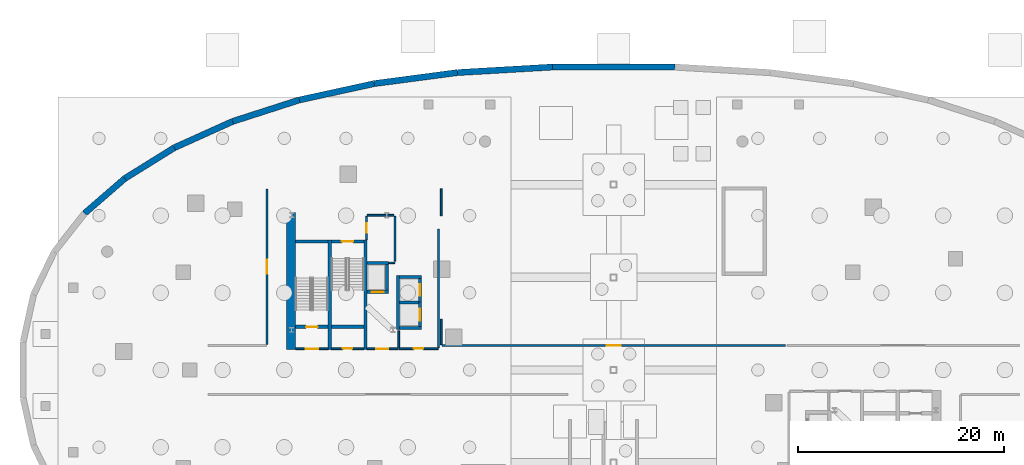
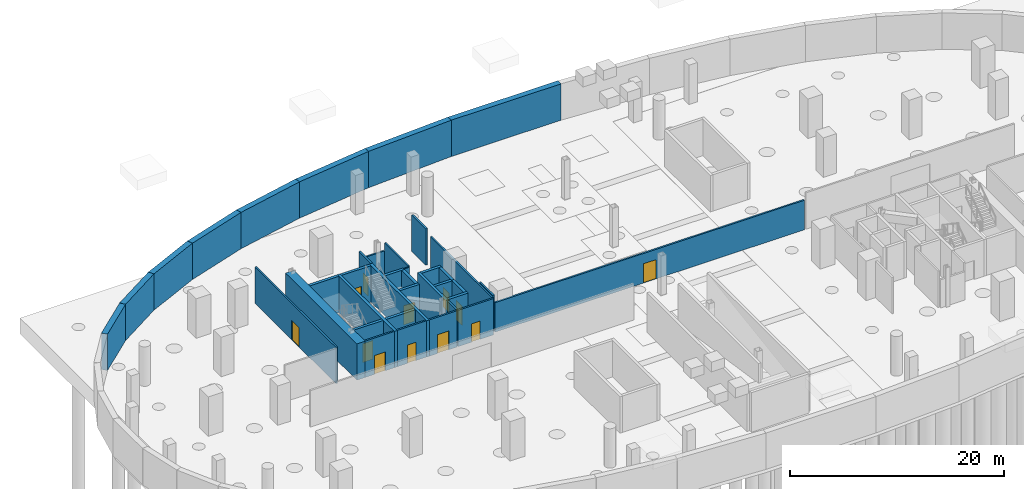
# One storey, part 5 of 10: 38 walls, 12 doors, 12 openings.
"""IFC4 building model written with IfcOpenShell, lengths in metres."""

from ifc_helpers import new_model, si_unit, direction, frame, frame_2d, origin, place, context, subcontext, project, spatial, rectangle, extrude, material, layer, layer_set, type_object, element, fill, save


model = new_model("IFC4")

# Units and contexts
model_context = context("Model", 3, precision=1e-05, world=origin(), true_north=direction((0.0, 1.0)))
body_context = subcontext(model_context, "Body", "Model", "MODEL_VIEW")
ifc_project = project(units=[si_unit("LENGTHUNIT", "METRE"), si_unit("AREAUNIT", "SQUARE_METRE"), si_unit("VOLUMEUNIT", "CUBIC_METRE"), si_unit("PLANEANGLEUNIT", "RADIAN"), si_unit("MASSUNIT", "GRAM", prefix="KILO"), si_unit("THERMODYNAMICTEMPERATUREUNIT", "KELVIN"), si_unit("POWERUNIT", "WATT")], contexts=[model_context])

# Site, building, storey
site_placement = place(None, origin())
site = spatial("IfcSite", under=ifc_project, at=site_placement, CompositionType="ELEMENT")
building_placement = place(site_placement, origin())
building = spatial("IfcBuilding", under=site, at=building_placement, Name="Cundina Bronze Exchange", CompositionType="ELEMENT")
storey_placement = place(building_placement, frame((0.0, 0.0, -9.0)))
storey = spatial("IfcBuildingStorey", under=building, at=storey_placement, Name="B02", CompositionType="ELEMENT", Elevation=-9.0)

# Wall
ifc_material_1 = material(Name="Gypsum Fireboard Partition EI120")
ifc_layer_1 = layer(ifc_material_1, 0.179931640625, Name="Gypsum Fireboard Partition EI120")
ifc_layer_set_1 = layer_set([ifc_layer_1], Name="Gypsum Fireboard Partition EI120")
wall_type_1 = type_object("IfcWallType", Name="WL-COR-180", PredefinedType="PARTITIONING", material=ifc_layer_set_1)
wall_1_placement = place(storey_placement, frame((-20.889892578125, 2.14990234375, 0.0), z_axis=(0.0, 0.0, 1.0), x_axis=(0.0, 1.0, 0.0)))
element("IfcWall", 1, at=wall_1_placement, inside=storey, type_object=wall_type_1, Name="B02 W Firefighting Lobby Side Wall", PredefinedType="PARTITIONING", context=body_context, shape_type="SweptSolid", body=[
    extrude(rectangle(XDim=1.650146484375, YDim=0.179931640625, at=frame_2d((0.8251953125, 0.0))), origin(), (0.0, 0.0, 1.0), 4.14990234375),
])

# Wall, opening, door
wall_2_placement = place(storey_placement, frame((-23.97998046875, 2.06005859375, 0.0), z_axis=(0.0, 0.0, 1.0), x_axis=(1.0, 0.0, 0.0)))
wall_2 = element("IfcWall", 2, at=wall_2_placement, inside=storey, type_object=wall_type_1, Name="B02 W Firefighting Lobby Exit Wall", PredefinedType="PARTITIONING", context=body_context, shape_type="SweptSolid", body=[
    extrude(rectangle(XDim=3.0, YDim=0.179931640625, at=frame_2d((1.5, 0.0))), origin(), (0.0, 0.0, 1.0), 4.14990234375),
])
opening_1_placement = place(wall_2_placement, frame((0.89990234375, 0.0, 0.0)))
opening_1 = element("IfcOpeningElement", 3, at=opening_1_placement, cuts=wall_2, Name="Opening DF-01", PredefinedType="OPENING", context=body_context, shape_type="SweptSolid", body=[
    extrude(rectangle(XDim=1.199951171875, YDim=2.14990234375, at=frame_2d((0.60009765625, 1.074951171875))), frame((0.0, 0.099853515625, 0.0), z_axis=(0.0, -1.0, 0.0), x_axis=(1.0, 0.0, 0.0)), (0.0, 0.0, 1.0), 0.199951171875),
])
ifc_material_2 = material(Name="Steel ASTM A36 Painted", Category="steel")
door_type_1 = type_object("IfcDoorType", Name="DR-FFL-1200", OperationType="NOTDEFINED", PredefinedType="DOOR", material=ifc_material_2)
door_1_placement = place(opening_1_placement, origin())
door_1 = element("IfcDoor", 4, at=door_1_placement, inside=storey, type_object=door_type_1, Name="B02 W Firefighting Lobby Door", OperationType="SINGLE_SWING_RIGHT", OverallHeight=2.14990234375, OverallWidth=1.199951171875, PredefinedType="DOOR", context=body_context, shape_type="SweptSolid", body=[
    extrude(rectangle(XDim=1.199951171875, YDim=2.14990234375, at=frame_2d((0.60009765625, 1.074951171875))), frame((0.0, 0.02490234375, 0.0), z_axis=(0.0, -1.0, 0.0), x_axis=(1.0, 0.0, 0.0)), (0.0, 0.0, 1.0), 0.050048828125),
])
fill(opening_1, door_1)

wall_3_placement = place(storey_placement, frame((-30.89990234375, 2.06005859375, 0.0), z_axis=(0.0, 0.0, 1.0), x_axis=(1.0, 0.0, 0.0)))
wall_3 = element("IfcWall", 5, at=wall_3_placement, inside=storey, type_object=wall_type_1, Name="B02 W Stair Vestibule Exit Wall", PredefinedType="PARTITIONING", context=body_context, shape_type="SweptSolid", body=[
    extrude(rectangle(XDim=3.159912109375, YDim=0.179931640625, at=frame_2d((1.580078125, 0.0))), origin(), (0.0, 0.0, 1.0), 4.14990234375),
])
opening_2_placement = place(wall_3_placement, frame((0.97998046875, 0.0, 0.0)))
opening_2 = element("IfcOpeningElement", 6, at=opening_2_placement, cuts=wall_3, Name="Opening DF-01", PredefinedType="OPENING", context=body_context, shape_type="SweptSolid", body=[
    extrude(rectangle(XDim=1.199951171875, YDim=2.14990234375, at=frame_2d((0.60009765625, 1.074951171875))), frame((0.0, 0.099853515625, 0.0), z_axis=(0.0, -1.0, 0.0), x_axis=(1.0, 0.0, 0.0)), (0.0, 0.0, 1.0), 0.199951171875),
])
door_2_placement = place(opening_2_placement, origin())
door_2 = element("IfcDoor", 7, at=door_2_placement, inside=storey, type_object=door_type_1, Name="B02 W Stair Vestibule Door", OperationType="SINGLE_SWING_LEFT", OverallHeight=2.14990234375, OverallWidth=1.199951171875, PredefinedType="DOOR", context=body_context, shape_type="SweptSolid", body=[
    extrude(rectangle(XDim=1.199951171875, YDim=2.14990234375, at=frame_2d((0.60009765625, 1.074951171875))), frame((0.0, 0.02490234375, 0.0), z_axis=(0.0, -1.0, 0.0), x_axis=(1.0, 0.0, 0.0)), (0.0, 0.0, 1.0), 0.050048828125),
])
fill(opening_2, door_2)

# Wall
wall_4_placement = place(storey_placement, frame((-17.02001953125, 2.169921875, 0.0), z_axis=(0.0, 0.0, 1.0), x_axis=(0.0, 1.0, 0.0)))
element("IfcWall", 8, at=wall_4_placement, inside=storey, type_object=wall_type_1, Name="B02 Interior Partition 001", PredefinedType="PARTITIONING", context=body_context, shape_type="SweptSolid", body=[
    extrude(rectangle(XDim=11.510009765625, YDim=0.179931640625, at=frame_2d((5.7548828125, 0.0))), origin(), (0.0, 0.0, 1.0), 4.14990234375),
])

# Wall, opening, door
wall_5_placement = place(storey_placement, frame((-20.8701171875, 2.070068359375, 0.0), z_axis=(0.0, 0.0, 1.0), x_axis=(1.0, 0.0, 0.0)))
wall_5 = element("IfcWall", 9, at=wall_5_placement, inside=storey, type_object=wall_type_1, Name="B02 Interior Partition 002", PredefinedType="PARTITIONING", context=body_context, shape_type="SweptSolid", body=[
    extrude(rectangle(XDim=3.830078125, YDim=0.179931640625, at=frame_2d((1.9150390625, 0.0))), origin(), (0.0, 0.0, 1.0), 4.14990234375),
])
opening_3_placement = place(wall_5_placement, frame((1.43994140625, 0.0, 0.0)))
opening_3 = element("IfcOpeningElement", 10, at=opening_3_placement, cuts=wall_5, Name="Opening DW-01", PredefinedType="OPENING", context=body_context, shape_type="SweptSolid", body=[
    extrude(rectangle(XDim=0.949951171875, YDim=2.10009765625, at=frame_2d((0.47509765625, 1.050048828125))), frame((0.0, 0.099853515625, 0.0), z_axis=(0.0, -1.0, 0.0), x_axis=(1.0, 0.0, 0.0)), (0.0, 0.0, 1.0), 0.199951171875),
])
ifc_material_3 = material(Name="Solid Andean Oak Timber Grade A", Category="wood")
door_type_2 = type_object("IfcDoorType", Name="DR-WC-950", OperationType="NOTDEFINED", PredefinedType="DOOR", material=ifc_material_3)
door_3_placement = place(opening_3_placement, origin())
door_3 = element("IfcDoor", 11, at=door_3_placement, inside=storey, type_object=door_type_2, Name="B02 Interior Door 002", OperationType="SINGLE_SWING_LEFT", OverallHeight=2.10009765625, OverallWidth=0.949951171875, PredefinedType="DOOR", context=body_context, shape_type="SweptSolid", body=[
    extrude(rectangle(XDim=0.949951171875, YDim=2.10009765625, at=frame_2d((0.47509765625, 1.050048828125))), frame((0.0, 0.02490234375, 0.0), z_axis=(0.0, -1.0, 0.0), x_axis=(1.0, 0.0, 0.0)), (0.0, 0.0, 1.0), 0.050048828125),
])
fill(opening_3, door_3)

# Walls
wall_6_placement = place(storey_placement, frame((-21.25, 10.570068359375, 0.0), z_axis=(0.0, 0.0, 1.0), x_axis=(0.0, 1.0, 0.0)))
element("IfcWall", 12, at=wall_6_placement, inside=storey, type_object=wall_type_1, Name="B02 Interior Partition 004", PredefinedType="PARTITIONING", context=body_context, shape_type="SweptSolid", body=[
    extrude(rectangle(XDim=4.35986328125, YDim=0.179931640625, at=frame_2d((2.179931640625, 0.0))), origin(), (0.0, 0.0, 1.0), 4.14990234375),
])
wall_7_placement = place(storey_placement, frame((-23.9599609375, 15.030029296875, 0.0), z_axis=(0.0, 0.0, 1.0), x_axis=(1.0, 0.0, 0.0)))
element("IfcWall", 13, at=wall_7_placement, inside=storey, type_object=wall_type_1, Name="B02 Interior Partition 005", PredefinedType="PARTITIONING", context=body_context, shape_type="SweptSolid", body=[
    extrude(rectangle(XDim=2.60986328125, YDim=0.179931640625, at=frame_2d((1.304931640625, 0.0))), origin(), (0.0, 0.0, 1.0), 3.222900390625),
])

# Wall, opening, door
wall_8_placement = place(storey_placement, frame((-27.419921875, 2.070068359375, 0.0), z_axis=(0.0, 0.0, 1.0), x_axis=(1.0, 0.0, 0.0)))
wall_8 = element("IfcWall", 14, at=wall_8_placement, inside=storey, type_object=wall_type_1, Name="B02 Interior Partition 006", PredefinedType="PARTITIONING", context=body_context, shape_type="SweptSolid", body=[
    extrude(rectangle(XDim=3.119873046875, YDim=0.179931640625, at=frame_2d((1.56005859375, 0.0))), origin(), (0.0, 0.0, 1.0), 4.14990234375),
])
opening_4_placement = place(wall_8_placement, frame((1.0849609375, 0.0, 0.0)))
opening_4 = element("IfcOpeningElement", 15, at=opening_4_placement, cuts=wall_8, Name="Opening DW-01", PredefinedType="OPENING", context=body_context, shape_type="SweptSolid", body=[
    extrude(rectangle(XDim=0.949951171875, YDim=2.10009765625, at=frame_2d((0.47509765625, 1.050048828125))), frame((0.0, 0.099853515625, 0.0), z_axis=(0.0, -1.0, 0.0), x_axis=(1.0, 0.0, 0.0)), (0.0, 0.0, 1.0), 0.199951171875),
])
door_4_placement = place(opening_4_placement, origin())
door_4 = element("IfcDoor", 16, at=door_4_placement, inside=storey, type_object=door_type_2, Name="B02 Interior Door 006", OperationType="SINGLE_SWING_LEFT", OverallHeight=2.10009765625, OverallWidth=0.949951171875, PredefinedType="DOOR", context=body_context, shape_type="SweptSolid", body=[
    extrude(rectangle(XDim=0.949951171875, YDim=2.10009765625, at=frame_2d((0.47509765625, 1.050048828125))), frame((0.0, 0.02490234375, 0.0), z_axis=(0.0, -1.0, 0.0), x_axis=(1.0, 0.0, 0.0)), (0.0, 0.0, 1.0), 0.050048828125),
])
fill(opening_4, door_4)

wall_9_placement = place(storey_placement, frame((-24.02001953125, 12.669921875, 0.0), z_axis=(0.0, 0.0, 1.0), x_axis=(0.0, 1.0, 0.0)))
wall_9 = element("IfcWall", 17, at=wall_9_placement, inside=storey, type_object=wall_type_1, Name="B02 Interior Partition 007", PredefinedType="PARTITIONING", context=body_context, shape_type="SweptSolid", body=[
    extrude(rectangle(XDim=2.260009765625, YDim=0.179931640625, at=frame_2d((1.1298828125, 0.0))), origin(), (0.0, 0.0, 1.0), 4.14990234375),
])
opening_5_placement = place(wall_9_placement, frame((0.655029296875, 0.0, 0.0)))
opening_5 = element("IfcOpeningElement", 18, at=opening_5_placement, cuts=wall_9, Name="Opening DW-01", PredefinedType="OPENING", context=body_context, shape_type="SweptSolid", body=[
    extrude(rectangle(XDim=0.949951171875, YDim=2.10009765625, at=frame_2d((0.47509765625, 1.050048828125))), frame((0.0, 0.099853515625, 0.0), z_axis=(0.0, -1.0, 0.0), x_axis=(1.0, 0.0, 0.0)), (0.0, 0.0, 1.0), 0.199951171875),
])
door_5_placement = place(opening_5_placement, origin())
door_5 = element("IfcDoor", 19, at=door_5_placement, inside=storey, type_object=door_type_2, Name="B02 Interior Door 007", OperationType="SINGLE_SWING_LEFT", OverallHeight=2.10009765625, OverallWidth=0.949951171875, PredefinedType="DOOR", context=body_context, shape_type="SweptSolid", body=[
    extrude(rectangle(XDim=0.949951171875, YDim=2.10009765625, at=frame_2d((0.47509765625, 1.050048828125))), frame((0.0, 0.02490234375, 0.0), z_axis=(0.0, -1.0, 0.0), x_axis=(1.0, 0.0, 0.0)), (0.0, 0.0, 1.0), 0.050048828125),
])
fill(opening_5, door_5)

wall_10_placement = place(storey_placement, frame((16.679931640625, 2.3798828125, 0.0), z_axis=(0.0, 0.0, 1.0), x_axis=(-1.0, 0.0, 0.0)))
wall_10 = element("IfcWall", 20, at=wall_10_placement, inside=storey, type_object=wall_type_1, Name="B02 Interior Partition 016", PredefinedType="PARTITIONING", context=body_context, shape_type="SweptSolid", body=[
    extrude(rectangle(XDim=33.35986328125, YDim=0.179931640625, at=frame_2d((16.679931640625, 0.0))), origin(), (0.0, 0.0, 1.0), 3.376953125),
])
opening_6_placement = place(wall_10_placement, frame((15.97998046875, 0.0, 0.0)))
opening_6 = element("IfcOpeningElement", 21, at=opening_6_placement, cuts=wall_10, Name="Opening DP-01", PredefinedType="OPENING", context=body_context, shape_type="SweptSolid", body=[
    extrude(rectangle(XDim=1.39990234375, YDim=2.199951171875, at=frame_2d((0.699951171875, 1.10009765625))), frame((0.0, 0.099853515625, 0.0), z_axis=(0.0, -1.0, 0.0), x_axis=(1.0, 0.0, 0.0)), (0.0, 0.0, 1.0), 0.199951171875),
])
door_type_3 = type_object("IfcDoorType", Name="DR-PLT-1400", OperationType="NOTDEFINED", PredefinedType="DOOR", material=ifc_material_2)
door_6_placement = place(opening_6_placement, origin())
door_6 = element("IfcDoor", 22, at=door_6_placement, inside=storey, type_object=door_type_3, Name="B02 Interior Door 016", OperationType="SINGLE_SWING_LEFT", OverallHeight=2.199951171875, OverallWidth=1.39990234375, PredefinedType="DOOR", context=body_context, shape_type="SweptSolid", body=[
    extrude(rectangle(XDim=1.39990234375, YDim=2.199951171875, at=frame_2d((0.699951171875, 1.10009765625))), frame((0.0, 0.02490234375, 0.0), z_axis=(0.0, -1.0, 0.0), x_axis=(1.0, 0.0, 0.0)), (0.0, 0.0, 1.0), 0.050048828125),
])
fill(opening_6, door_6)

# Walls
wall_11_placement = place(storey_placement, frame((-16.760009765625, 14.974609375, 0.0), z_axis=(0.0, 0.0, 1.0), x_axis=(0.0, 1.0, 0.0)))
element("IfcWall", 23, at=wall_11_placement, inside=storey, type_object=wall_type_1, Name="B02 Interior Partition 017", PredefinedType="PARTITIONING", context=body_context, shape_type="SweptSolid", body=[
    extrude(rectangle(XDim=2.630615234375, YDim=0.179931640625, at=frame_2d((1.3154296875, 0.0))), origin(), (0.0, 0.0, 1.0), 4.14990234375),
])
wall_12_placement = place(storey_placement, frame((-16.760009765625, 2.4599609375, 0.0), z_axis=(0.0, 0.0, 1.0), x_axis=(0.0, 1.0, 0.0)))
element("IfcWall", 24, at=wall_12_placement, inside=storey, type_object=wall_type_1, Name="B02 Interior Partition 018", PredefinedType="PARTITIONING", context=body_context, shape_type="SweptSolid", body=[
    extrude(rectangle(XDim=2.495361328125, YDim=0.179931640625, at=frame_2d((1.24755859375, 0.0))), origin(), (0.0, 0.0, 1.0), 4.14990234375),
])

# Wall, opening, door
wall_13_placement = place(storey_placement, frame((-33.68994140625, 17.605224609375, 0.0), z_axis=(0.0, 0.0, 1.0), x_axis=(0.0, -1.0, 0.0)))
wall_13 = element("IfcWall", 25, at=wall_13_placement, inside=storey, type_object=wall_type_1, Name="B02 Interior Partition 019", PredefinedType="PARTITIONING", context=body_context, shape_type="SweptSolid", body=[
    extrude(rectangle(XDim=15.145263671875, YDim=0.179931640625, at=frame_2d((7.57275390625, 0.0))), origin(), (0.0, 0.0, 1.0), 4.14990234375),
])
opening_7_placement = place(wall_13_placement, frame((6.87255859375, 0.0, 0.0)))
opening_7 = element("IfcOpeningElement", 26, at=opening_7_placement, cuts=wall_13, Name="Opening DP-01", PredefinedType="OPENING", context=body_context, shape_type="SweptSolid", body=[
    extrude(rectangle(XDim=1.39990234375, YDim=2.199951171875, at=frame_2d((0.699951171875, 1.10009765625))), frame((0.0, 0.099853515625, 0.0), z_axis=(0.0, -1.0, 0.0), x_axis=(1.0, 0.0, 0.0)), (0.0, 0.0, 1.0), 0.199951171875),
])
door_7_placement = place(opening_7_placement, origin())
door_7 = element("IfcDoor", 27, at=door_7_placement, inside=storey, type_object=door_type_3, Name="B02 Interior Door 019", OperationType="SINGLE_SWING_LEFT", OverallHeight=2.199951171875, OverallWidth=1.39990234375, PredefinedType="DOOR", context=body_context, shape_type="SweptSolid", body=[
    extrude(rectangle(XDim=1.39990234375, YDim=2.199951171875, at=frame_2d((0.699951171875, 1.10009765625))), frame((0.0, 0.02490234375, 0.0), z_axis=(0.0, -1.0, 0.0), x_axis=(1.0, 0.0, 0.0)), (0.0, 0.0, 1.0), 0.050048828125),
])
fill(opening_7, door_7)

# Walls
ifc_material_4 = material(Name="Concrete C60/75", Category="concrete")
ifc_layer_2 = layer(ifc_material_4, 0.89990234375, Name="Concrete C60/75", Category="concrete")
ifc_layer_set_2 = layer_set([ifc_layer_2], Name="Concrete C60/75")
wall_type_2 = type_object("IfcWallType", Name="WL-CORE-900", PredefinedType="SHEAR", material=ifc_layer_set_2)
wall_14_placement = place(storey_placement, frame((-31.35009765625, 1.969970703125, 0.0), z_axis=(0.0, 0.0, 1.0), x_axis=(0.0, 1.0, 0.0)))
element("IfcWall", 28, at=wall_14_placement, inside=storey, type_object=wall_type_2, Name="B02 W Primary Core Shear Spine Wall", PredefinedType="SHEAR", context=body_context, shape_type="SweptSolid", body=[
    extrude(rectangle(XDim=13.330078125, YDim=0.89990234375, at=frame_2d((6.6650390625, 0.0))), origin(), (0.0, 0.0, 1.0), 4.14990234375),
])
ifc_material_5 = material(Name="Concrete C40/50", Category="concrete")
ifc_layer_3 = layer(ifc_material_5, 0.60009765625, Name="Concrete C40/50", Category="concrete")
ifc_layer_set_3 = layer_set([ifc_layer_3], Name="Concrete C40/50")
wall_type_3 = type_object("IfcWallType", Name="WL-RET-600", PredefinedType="USERDEFINED", material=ifc_layer_set_3)
wall_15_placement = place(storey_placement, frame((5.93603515625, 29.431884765625, 0.0), z_axis=(0.0, 0.0, 1.0), x_axis=(-1.0, 0.0, 0.0)))
element("IfcWall", 29, at=wall_15_placement, inside=storey, type_object=wall_type_3, Name="B02 Perimeter Concrete Retaining Wall 11", ObjectType="RETAININGWALL", PredefinedType="USERDEFINED", context=body_context, shape_type="SweptSolid", body=[
    extrude(rectangle(XDim=11.8720703125, YDim=0.60009765625, at=frame_2d((5.93603515625, 0.0))), origin(), (0.0, 0.0, 1.0), 4.14990234375),
])
wall_16_placement = place(storey_placement, frame((-5.93603515625, 29.431884765625, 0.0), z_axis=(0.0, 0.0, 1.0), x_axis=(-0.998305864477, -0.058184198455, 0.0)))
element("IfcWall", 30, at=wall_16_placement, inside=storey, type_object=wall_type_3, Name="B02 Perimeter Concrete Retaining Wall 12", ObjectType="RETAININGWALL", PredefinedType="USERDEFINED", context=body_context, shape_type="SweptSolid", body=[
    extrude(rectangle(XDim=9.260498046875, YDim=0.60009765625, at=frame_2d((4.63037109375, 0.0))), origin(), (0.0, 0.0, 1.0), 4.14990234375),
])
wall_17_placement = place(storey_placement, frame((-15.180908203125, 28.89306640625, 0.0), z_axis=(0.0, 0.0, 1.0), x_axis=(-0.991355566156, -0.131202673187, 0.0)))
element("IfcWall", 31, at=wall_17_placement, inside=storey, type_object=wall_type_3, Name="B02 Perimeter Concrete Retaining Wall 13", ObjectType="RETAININGWALL", PredefinedType="USERDEFINED", context=body_context, shape_type="SweptSolid", body=[
    extrude(rectangle(XDim=8.170654296875, YDim=0.60009765625, at=frame_2d((4.08544921875, 0.0))), origin(), (0.0, 0.0, 1.0), 4.14990234375),
])
wall_18_placement = place(storey_placement, frame((-23.281005859375, 27.821044921875, 0.0), z_axis=(0.0, 0.0, 1.0), x_axis=(-0.976902373216, -0.213686109059, 0.0)))
element("IfcWall", 32, at=wall_18_placement, inside=storey, type_object=wall_type_3, Name="B02 Perimeter Concrete Retaining Wall 14", ObjectType="RETAININGWALL", PredefinedType="USERDEFINED", context=body_context, shape_type="SweptSolid", body=[
    extrude(rectangle(XDim=7.436767578125, YDim=0.60009765625, at=frame_2d((3.71826171875, 0.0))), origin(), (0.0, 0.0, 1.0), 4.14990234375),
])
wall_19_placement = place(storey_placement, frame((-30.5458984375, 26.23193359375, 0.0), z_axis=(0.0, 0.0, 1.0), x_axis=(-0.951843868052, -0.306583187492, 0.0)))
element("IfcWall", 33, at=wall_19_placement, inside=storey, type_object=wall_type_3, Name="B02 Perimeter Concrete Retaining Wall 15", ObjectType="RETAININGWALL", PredefinedType="USERDEFINED", context=body_context, shape_type="SweptSolid", body=[
    extrude(rectangle(XDim=6.800537109375, YDim=0.60009765625, at=frame_2d((3.400390625, 0.0))), origin(), (0.0, 0.0, 1.0), 4.14990234375),
])
wall_20_placement = place(storey_placement, frame((-37.01904296875, 24.14697265625, 0.0), z_axis=(0.0, 0.0, 1.0), x_axis=(-0.911643952457, -0.410980904603, 0.0)))
element("IfcWall", 34, at=wall_20_placement, inside=storey, type_object=wall_type_3, Name="B02 Perimeter Concrete Retaining Wall 16", ObjectType="RETAININGWALL", PredefinedType="USERDEFINED", context=body_context, shape_type="SweptSolid", body=[
    extrude(rectangle(XDim=6.20947265625, YDim=0.60009765625, at=frame_2d((3.104736328125, 0.0))), origin(), (0.0, 0.0, 1.0), 4.14990234375),
])
wall_21_placement = place(storey_placement, frame((-42.679931640625, 21.594970703125, 0.0), z_axis=(0.0, 0.0, 1.0), x_axis=(-0.849299437699, -0.527911417877, 0.0)))
element("IfcWall", 35, at=wall_21_placement, inside=storey, type_object=wall_type_3, Name="B02 Perimeter Concrete Retaining Wall 17", ObjectType="RETAININGWALL", PredefinedType="USERDEFINED", context=body_context, shape_type="SweptSolid", body=[
    extrude(rectangle(XDim=5.66015625, YDim=0.60009765625, at=frame_2d((2.830078125, 0.0))), origin(), (0.0, 0.0, 1.0), 4.14990234375),
])
wall_22_placement = place(storey_placement, frame((-47.487060546875, 18.60693359375, 0.0), z_axis=(0.0, 0.0, 1.0), x_axis=(-0.755564536906, -0.655074217605, 0.0)))
element("IfcWall", 36, at=wall_22_placement, inside=storey, type_object=wall_type_3, Name="B02 Perimeter Concrete Retaining Wall 18", ObjectType="RETAININGWALL", PredefinedType="USERDEFINED", context=body_context, shape_type="SweptSolid", body=[
    extrude(rectangle(XDim=5.1748046875, YDim=0.60009765625, at=frame_2d((2.58740234375, 0.0))), origin(), (0.0, 0.0, 1.0), 4.14990234375),
])
ifc_material_6 = material(Name="Concrete C50/60", Category="concrete")
ifc_layer_4 = layer(ifc_material_6, 0.300048828125, Name="Concrete C50/60", Category="concrete")
ifc_layer_set_4 = layer_set([ifc_layer_4], Name="Concrete C50/60")
wall_type_4 = type_object("IfcWallType", Name="WL-SHFT-300", PredefinedType="SHEAR", material=ifc_layer_set_4)
for number, where, z_axis, x_axis, name in (
    (37, (-27.590087890625, 1.969970703125, 0.0), (0.0, 0.0, 1.0), (0.0, 1.0, 0.0), "B02 W Stair Shaft Dividing Shear Wall"),
    (38, (-24.1298828125, 1.969970703125, 0.0), (0.0, 0.0, 1.0), (0.0, 1.0, 0.0), "B02 W Stair 2 East Shear Wall"),
):
    element("IfcWall", number, at=place(storey_placement, frame(where, z_axis=z_axis, x_axis=x_axis)), inside=storey, type_object=wall_type_4, Name=name, PredefinedType="SHEAR", context=body_context, shape_type="SweptSolid", body=[
        extrude(rectangle(XDim=10.679931640625, YDim=0.300048828125, at=frame_2d((5.33984375, 0.0))), origin(), (0.0, 0.0, 1.0), 4.14990234375),
    ])

# Wall, opening, door
wall_23_placement = place(storey_placement, frame((-30.89990234375, 4.199951171875, 0.0), z_axis=(0.0, 0.0, 1.0), x_axis=(1.0, 0.0, 0.0)))
wall_23 = element("IfcWall", 39, at=wall_23_placement, inside=storey, type_object=wall_type_4, Name="B02 Stair W1 Landing Wall", PredefinedType="SHEAR", context=body_context, shape_type="SweptSolid", body=[
    extrude(rectangle(XDim=3.159912109375, YDim=0.300048828125, at=frame_2d((1.580078125, 0.0))), origin(), (0.0, 0.0, 1.0), 4.14990234375),
])
opening_8_placement = place(wall_23_placement, frame((1.030029296875, 0.0, 0.0)))
opening_8 = element("IfcOpeningElement", 40, at=opening_8_placement, cuts=wall_23, Name="Opening DS-01", PredefinedType="OPENING", context=body_context, shape_type="SweptSolid", body=[
    extrude(rectangle(XDim=1.10009765625, YDim=2.14990234375, at=frame_2d((0.550048828125, 1.074951171875))), frame((0.0, 0.159912109375, 0.0), z_axis=(0.0, -1.0, 0.0), x_axis=(1.0, 0.0, 0.0)), (0.0, 0.0, 1.0), 0.320068359375),
])
door_type_4 = type_object("IfcDoorType", Name="DR-STR-1100", OperationType="NOTDEFINED", PredefinedType="DOOR", material=ifc_material_2)
door_8_placement = place(opening_8_placement, origin())
door_8 = element("IfcDoor", 41, at=door_8_placement, inside=storey, type_object=door_type_4, Name="B02 Smokeproof Stair W1 Door", OperationType="SINGLE_SWING_RIGHT", OverallHeight=2.14990234375, OverallWidth=1.10009765625, PredefinedType="DOOR", context=body_context, shape_type="SweptSolid", body=[
    extrude(rectangle(XDim=1.10009765625, YDim=2.14990234375, at=frame_2d((0.550048828125, 1.074951171875))), frame((0.0, 0.02490234375, 0.0), z_axis=(0.0, -1.0, 0.0), x_axis=(1.0, 0.0, 0.0)), (0.0, 0.0, 1.0), 0.050048828125),
])
fill(opening_8, door_8)

# Wall
wall_24_placement = place(storey_placement, frame((-30.89990234375, 12.5, 0.0), z_axis=(0.0, 0.0, 1.0), x_axis=(1.0, 0.0, 0.0)))
element("IfcWall", 42, at=wall_24_placement, inside=storey, type_object=wall_type_4, Name="B02 Stair W1 Far Shaft Wall", PredefinedType="SHEAR", context=body_context, shape_type="SweptSolid", body=[
    extrude(rectangle(XDim=3.159912109375, YDim=0.300048828125, at=frame_2d((1.580078125, 0.0))), origin(), (0.0, 0.0, 1.0), 4.14990234375),
])

# Wall, opening, door
wall_25_placement = place(storey_placement, frame((-27.43994140625, 12.5, 0.0), z_axis=(0.0, 0.0, 1.0), x_axis=(1.0, 0.0, 0.0)))
wall_25 = element("IfcWall", 43, at=wall_25_placement, inside=storey, type_object=wall_type_4, Name="B02 Stair W2 Landing Wall", PredefinedType="SHEAR", context=body_context, shape_type="SweptSolid", body=[
    extrude(rectangle(XDim=3.159912109375, YDim=0.300048828125, at=frame_2d((1.580078125, 0.0))), origin(), (0.0, 0.0, 1.0), 4.14990234375),
])
opening_9_placement = place(wall_25_placement, frame((1.030029296875, 0.0, 0.0)))
opening_9 = element("IfcOpeningElement", 44, at=opening_9_placement, cuts=wall_25, Name="Opening DS-01", PredefinedType="OPENING", context=body_context, shape_type="SweptSolid", body=[
    extrude(rectangle(XDim=1.10009765625, YDim=2.14990234375, at=frame_2d((0.550048828125, 1.074951171875))), frame((0.0, 0.159912109375, 0.0), z_axis=(0.0, -1.0, 0.0), x_axis=(1.0, 0.0, 0.0)), (0.0, 0.0, 1.0), 0.320068359375),
])
door_9_placement = place(opening_9_placement, origin())
door_9 = element("IfcDoor", 45, at=door_9_placement, inside=storey, type_object=door_type_4, Name="B02 Smokeproof Stair W2 Door", OperationType="SINGLE_SWING_LEFT", OverallHeight=2.14990234375, OverallWidth=1.10009765625, PredefinedType="DOOR", context=body_context, shape_type="SweptSolid", body=[
    extrude(rectangle(XDim=1.10009765625, YDim=2.14990234375, at=frame_2d((0.550048828125, 1.074951171875))), frame((0.0, 0.02490234375, 0.0), z_axis=(0.0, -1.0, 0.0), x_axis=(1.0, 0.0, 0.0)), (0.0, 0.0, 1.0), 0.050048828125),
])
fill(opening_9, door_9)

# Wall
wall_26_placement = place(storey_placement, frame((-27.43994140625, 4.199951171875, 0.0), z_axis=(0.0, 0.0, 1.0), x_axis=(1.0, 0.0, 0.0)))
element("IfcWall", 46, at=wall_26_placement, inside=storey, type_object=wall_type_4, Name="B02 Stair W2 Far Shaft Wall", PredefinedType="SHEAR", context=body_context, shape_type="SweptSolid", body=[
    extrude(rectangle(XDim=3.159912109375, YDim=0.300048828125, at=frame_2d((1.580078125, 0.0))), origin(), (0.0, 0.0, 1.0), 4.14990234375),
])

# Wall, opening, door
wall_27_placement = place(storey_placement, frame((-23.97998046875, 7.60009765625, 0.0), z_axis=(0.0, 0.0, 1.0), x_axis=(1.0, 0.0, 0.0)))
wall_27 = element("IfcWall", 47, at=wall_27_placement, inside=storey, type_object=wall_type_4, Name="B02 FFL-W Hoistway Front Wall", PredefinedType="SHEAR", context=body_context, shape_type="SweptSolid", body=[
    extrude(rectangle(XDim=2.10009765625, YDim=0.300048828125, at=frame_2d((1.050048828125, 0.0))), origin(), (0.0, 0.0, 1.0), 4.14990234375),
])
opening_10_placement = place(wall_27_placement, frame((0.47509765625, 0.0, 0.0)))
opening_10 = element("IfcOpeningElement", 48, at=opening_10_placement, cuts=wall_27, Name="Opening LD-01", PredefinedType="OPENING", context=body_context, shape_type="SweptSolid", body=[
    extrude(rectangle(XDim=1.14990234375, YDim=2.199951171875, at=frame_2d((0.574951171875, 1.10009765625))), frame((0.0, 0.159912109375, 0.0), z_axis=(0.0, -1.0, 0.0), x_axis=(1.0, 0.0, 0.0)), (0.0, 0.0, 1.0), 0.320068359375),
])
door_type_5 = type_object("IfcDoorType", Name="DR-LND-1150", OperationType="NOTDEFINED", PredefinedType="TRAPDOOR", material=ifc_material_2)
door_10_placement = place(opening_10_placement, origin())
door_10 = element("IfcDoor", 49, at=door_10_placement, inside=storey, type_object=door_type_5, Name="B02 FFL-W Sliding Landing Door", OperationType="SLIDING_TO_LEFT", OverallHeight=2.199951171875, OverallWidth=1.14990234375, PredefinedType="TRAPDOOR", context=body_context, shape_type="SweptSolid", body=[
    extrude(rectangle(XDim=1.14990234375, YDim=2.199951171875, at=frame_2d((0.574951171875, 1.10009765625))), frame((0.0, 0.02490234375, 0.0), z_axis=(0.0, -1.0, 0.0), x_axis=(1.0, 0.0, 0.0)), (0.0, 0.0, 1.0), 0.050048828125),
])
fill(opening_10, door_10)

# Walls
wall_28_placement = place(storey_placement, frame((-23.97998046875, 10.39990234375, 0.0), z_axis=(0.0, 0.0, 1.0), x_axis=(1.0, 0.0, 0.0)))
element("IfcWall", 50, at=wall_28_placement, inside=storey, type_object=wall_type_4, Name="B02 FFL-W Hoistway Back Wall", PredefinedType="SHEAR", context=body_context, shape_type="SweptSolid", body=[
    extrude(rectangle(XDim=2.10009765625, YDim=0.300048828125, at=frame_2d((1.050048828125, 0.0))), origin(), (0.0, 0.0, 1.0), 4.14990234375),
])
wall_29_placement = place(storey_placement, frame((-22.030029296875, 7.75, 0.0), z_axis=(0.0, 0.0, 1.0), x_axis=(0.0, 1.0, 0.0)))
element("IfcWall", 51, at=wall_29_placement, inside=storey, type_object=wall_type_4, Name="B02 FFL-W Hoistway Side Wall", PredefinedType="SHEAR", context=body_context, shape_type="SweptSolid", body=[
    extrude(rectangle(XDim=2.5, YDim=0.300048828125, at=frame_2d((1.25, 0.0))), origin(), (0.0, 0.0, 1.0), 4.14990234375),
])
wall_30_placement = place(storey_placement, frame((-20.949951171875, 3.949951171875, 0.0), z_axis=(0.0, 0.0, 1.0), x_axis=(0.0, 1.0, 0.0)))
element("IfcWall", 52, at=wall_30_placement, inside=storey, type_object=wall_type_4, Name="B02 W Passenger Bank Hoistway Back Wall", PredefinedType="SHEAR", context=body_context, shape_type="SweptSolid", body=[
    extrude(rectangle(XDim=5.25, YDim=0.300048828125, at=frame_2d((2.625, 0.0))), origin(), (0.0, 0.0, 1.0), 4.14990234375),
])
for number, where, z_axis, x_axis, name in (
    (53, (-20.800048828125, 4.10009765625, 0.0), (0.0, 0.0, 1.0), (1.0, 0.0, 0.0), "B02 W Passenger Bank South Cap Wall"),
    (54, (-20.800048828125, 9.050048828125, 0.0), (0.0, 0.0, 1.0), (1.0, 0.0, 0.0), "B02 W Passenger Bank North Cap Wall"),
):
    element("IfcWall", number, at=place(storey_placement, frame(where, z_axis=z_axis, x_axis=x_axis)), inside=storey, type_object=wall_type_4, Name=name, PredefinedType="SHEAR", context=body_context, shape_type="SweptSolid", body=[
        extrude(rectangle(XDim=2.150146484375, YDim=0.300048828125, at=frame_2d((1.0751953125, 0.0))), origin(), (0.0, 0.0, 1.0), 4.14990234375),
    ])
wall_31_placement = place(storey_placement, frame((-20.800048828125, 6.574951171875, 0.0), z_axis=(0.0, 0.0, 1.0), x_axis=(1.0, 0.0, 0.0)))
element("IfcWall", 55, at=wall_31_placement, inside=storey, type_object=wall_type_4, Name="B02 W Passenger Hoistway Divider 1", PredefinedType="SHEAR", context=body_context, shape_type="SweptSolid", body=[
    extrude(rectangle(XDim=1.85009765625, YDim=0.300048828125, at=frame_2d((0.925048828125, 0.0))), origin(), (0.0, 0.0, 1.0), 4.14990234375),
])

# Wall, opening, door
wall_32_placement = place(storey_placement, frame((-18.800048828125, 4.1298828125, 0.0), z_axis=(0.0, 0.0, 1.0), x_axis=(0.0, 1.0, 0.0)))
wall_32 = element("IfcWall", 56, at=wall_32_placement, inside=storey, type_object=wall_type_4, Name="B02 PL-W2 Hoistway Front Wall", PredefinedType="SHEAR", context=body_context, shape_type="SweptSolid", body=[
    extrude(rectangle(XDim=2.490234375, YDim=0.300048828125, at=frame_2d((1.2451171875, 0.0))), origin(), (0.0, 0.0, 1.0), 4.14990234375),
])
opening_11_placement = place(wall_32_placement, frame((0.669921875, 0.0, 0.0)))
opening_11 = element("IfcOpeningElement", 57, at=opening_11_placement, cuts=wall_32, Name="Opening LD-01", PredefinedType="OPENING", context=body_context, shape_type="SweptSolid", body=[
    extrude(rectangle(XDim=1.14990234375, YDim=2.199951171875, at=frame_2d((0.574951171875, 1.10009765625))), frame((0.0, 0.159912109375, 0.0), z_axis=(0.0, -1.0, 0.0), x_axis=(1.0, 0.0, 0.0)), (0.0, 0.0, 1.0), 0.320068359375),
])
door_11_placement = place(opening_11_placement, origin())
door_11 = element("IfcDoor", 58, at=door_11_placement, inside=storey, type_object=door_type_5, Name="B02 PL-W2 Sliding Landing Door", OperationType="SLIDING_TO_LEFT", OverallHeight=2.199951171875, OverallWidth=1.14990234375, PredefinedType="TRAPDOOR", context=body_context, shape_type="SweptSolid", body=[
    extrude(rectangle(XDim=1.14990234375, YDim=2.199951171875, at=frame_2d((0.574951171875, 1.10009765625))), frame((0.0, 0.02490234375, 0.0), z_axis=(0.0, -1.0, 0.0), x_axis=(1.0, 0.0, 0.0)), (0.0, 0.0, 1.0), 0.050048828125),
])
fill(opening_11, door_11)

wall_33_placement = place(storey_placement, frame((-18.800048828125, 6.530029296875, 0.0), z_axis=(0.0, 0.0, 1.0), x_axis=(0.0, 1.0, 0.0)))
wall_33 = element("IfcWall", 59, at=wall_33_placement, inside=storey, type_object=wall_type_4, Name="B02 PL-W1 Hoistway Front Wall", PredefinedType="SHEAR", context=body_context, shape_type="SweptSolid", body=[
    extrude(rectangle(XDim=2.489990234375, YDim=0.300048828125, at=frame_2d((1.2451171875, 0.0))), origin(), (0.0, 0.0, 1.0), 4.14990234375),
])
opening_12_placement = place(wall_33_placement, frame((0.669921875, 0.0, 0.0)))
opening_12 = element("IfcOpeningElement", 60, at=opening_12_placement, cuts=wall_33, Name="Opening LD-01", PredefinedType="OPENING", context=body_context, shape_type="SweptSolid", body=[
    extrude(rectangle(XDim=1.14990234375, YDim=2.199951171875, at=frame_2d((0.574951171875, 1.10009765625))), frame((0.0, 0.159912109375, 0.0), z_axis=(0.0, -1.0, 0.0), x_axis=(1.0, 0.0, 0.0)), (0.0, 0.0, 1.0), 0.320068359375),
])
door_12_placement = place(opening_12_placement, origin())
door_12 = element("IfcDoor", 61, at=door_12_placement, inside=storey, type_object=door_type_5, Name="B02 PL-W1 Sliding Landing Door", OperationType="SLIDING_TO_LEFT", OverallHeight=2.199951171875, OverallWidth=1.14990234375, PredefinedType="TRAPDOOR", context=body_context, shape_type="SweptSolid", body=[
    extrude(rectangle(XDim=1.14990234375, YDim=2.199951171875, at=frame_2d((0.574951171875, 1.10009765625))), frame((0.0, 0.02490234375, 0.0), z_axis=(0.0, -1.0, 0.0), x_axis=(1.0, 0.0, 0.0)), (0.0, 0.0, 1.0), 0.050048828125),
])
fill(opening_12, door_12)

# Wall
ifc_material_7 = material(Name="Moisture-Resistant Masonry Block Grade M15", Category="masonry")
ifc_layer_5 = layer(ifc_material_7, 0.139892578125, Name="Moisture-Resistant Masonry Block Grade M15", Category="masonry")
ifc_layer_set_5 = layer_set([ifc_layer_5], Name="Moisture-Resistant Masonry Block Grade M15")
wall_type_5 = type_object("IfcWallType", Name="WL-WET-140", PredefinedType="PARTITIONING", material=ifc_layer_set_5)
wall_34_placement = place(storey_placement, frame((-21.860107421875, 10.39990234375, 0.0), z_axis=(0.0, 0.0, 1.0), x_axis=(1.0, 0.0, 0.0)))
element("IfcWall", 62, at=wall_34_placement, inside=storey, type_object=wall_type_5, Name="B02 Interior Partition 003", PredefinedType="PARTITIONING", context=body_context, shape_type="SweptSolid", body=[
    extrude(rectangle(XDim=0.590087890625, YDim=0.139892578125, at=frame_2d((0.294921875, 0.0))), origin(), (0.0, 0.0, 1.0), 4.14990234375),
])

save(model, "model.ifc")
